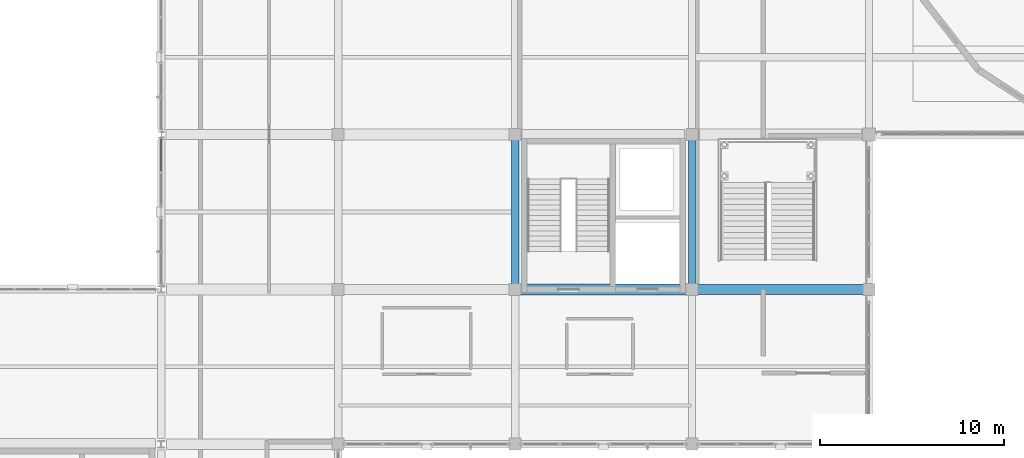
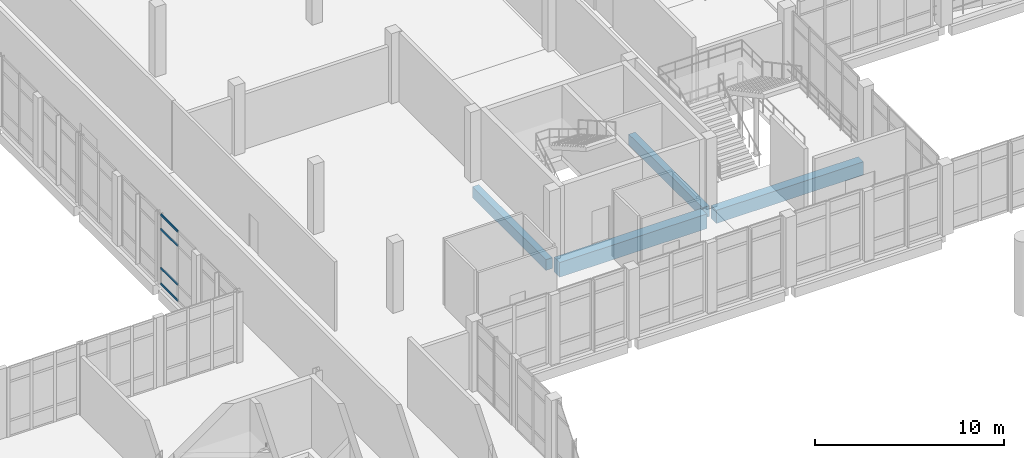
# One storey, part 28 of 102: 4 beams, 4 members, 1 element without a shape of its own.
"""IFC4 building model written with IfcOpenShell, lengths in metres."""

import ifcopenshell
import ifcopenshell.guid

model = None  # the IFC model being written
_history = None  # IfcOwnerHistory: only IFC2X3 demands one
_inside = {}  # id of a spatial element -> (the spatial element, [elements in it])
_under = {}  # id of a project, library or spatial element -> (it, [spatial elements below it])
_declared = {}  # id of a project -> (the project, [libraries it declares])
_typed = {}  # id of a type object -> (the type object, [elements of that type])
_made_of = {}  # id of a material, layer set ... -> (it, [elements and type objects made of it])


def new_model(schema):
    """Start an empty IFC model of exactly this schema.

    Asked for "IFC4X3", IfcOpenShell would pick the latest addendum, in which some entities
    have other attributes; the version numbers below select the first issue.
    IFC2X3 requires an IfcOwnerHistory on every rooted entity: one is made here for all.
    """
    global model, _history
    if schema == "IFC4X3":
        model = ifcopenshell.file(schema_version=(4, 3, 0, 0))
    else:
        model = ifcopenshell.file(schema=schema)
    _inside.clear()
    _under.clear()
    _declared.clear()
    _typed.clear()
    _made_of.clear()
    _history = None
    if model.schema == "IFC2X3":
        org = make("IfcOrganization", Name="unknown")
        user = make(
            "IfcPersonAndOrganization",
            ThePerson=make("IfcPerson", FamilyName="unknown"),
            TheOrganization=org,
        )
        app = make(
            "IfcApplication",
            ApplicationDeveloper=org,
            Version="unknown",
            ApplicationFullName="unknown",
            ApplicationIdentifier="unknown",
        )
        _history = make(
            "IfcOwnerHistory",
            OwningUser=user,
            OwningApplication=app,
            ChangeAction="ADDED",
            CreationDate=0,
        )
    return model


def make(cls, **values):
    """One entity of the class cls with the attributes given. An attribute that is None is left unset."""
    return model.create_entity(
        cls, **{name: value for name, value in values.items() if value is not None}
    )


def rooted(cls, **values):
    """An entity with a GlobalId (a new one), such as an element, a storey or a relation."""
    return make(cls, GlobalId=ifcopenshell.guid.new(), OwnerHistory=_history, **values)


def si_unit(unit_type, name, prefix=None):
    """IfcSIUnit, for example si_unit("LENGTHUNIT", "METRE", prefix="MILLI")."""
    return make("IfcSIUnit", UnitType=unit_type, Prefix=prefix, Name=name)


def assignment(units):
    """IfcUnitAssignment: the units of a project."""
    return None if units is None else make("IfcUnitAssignment", Units=units)


def point(xyz):
    """IfcCartesianPoint."""
    return None if xyz is None else make("IfcCartesianPoint", Coordinates=xyz)


def direction(xyz):
    """IfcDirection."""
    return None if xyz is None else make("IfcDirection", DirectionRatios=xyz)


def frame(location, z_axis=None, x_axis=None):
    """IfcAxis2Placement3D, a coordinate frame: its origin and axes. An axis left out is left unset."""
    return make(
        "IfcAxis2Placement3D",
        Location=point(location),
        Axis=direction(z_axis),
        RefDirection=direction(x_axis),
    )


def frame_2d(location, x_axis=None):
    """IfcAxis2Placement2D, a coordinate frame in the plane: its origin and x axis."""
    return make(
        "IfcAxis2Placement2D", Location=point(location), RefDirection=direction(x_axis)
    )


def origin():
    """The frame at (0, 0, 0) with its axes left unset."""
    return frame((0.0, 0.0, 0.0))


def origin_2d():
    """The frame at (0, 0) in the plane with its x axis left unset."""
    return frame_2d((0.0, 0.0))


def place(relative_to, where):
    """IfcLocalPlacement: puts the frame where relative to a parent placement (None: the world)."""
    return make(
        "IfcLocalPlacement", PlacementRelTo=relative_to, RelativePlacement=where
    )


def context(
    kind, dimensions, precision=None, world=None, true_north=None, identifier=None
):
    """IfcGeometricRepresentationContext, for example the 3D "Model" context."""
    return make(
        "IfcGeometricRepresentationContext",
        ContextIdentifier=identifier,
        ContextType=kind,
        CoordinateSpaceDimension=dimensions,
        Precision=precision,
        WorldCoordinateSystem=world,
        TrueNorth=true_north,
    )


def subcontext(parent, identifier, kind, view, scale=None):
    """IfcGeometricRepresentationSubContext, for example "Body" below "Model"."""
    return make(
        "IfcGeometricRepresentationSubContext",
        ContextIdentifier=identifier,
        ContextType=kind,
        ParentContext=parent,
        TargetScale=scale,
        TargetView=view,
    )


def project(units=None, contexts=None):
    """IfcProject with its units and contexts."""
    return rooted(
        "IfcProject",
        Name="project",
        RepresentationContexts=contexts,
        UnitsInContext=assignment(units),
    )


def spatial(cls, under=None, at=None, **own):
    """A site, building, storey or space (cls), placed at a placement, below another one or the project."""
    s = rooted(cls, ObjectPlacement=at, **own)
    if under is not None:
        _under.setdefault(under.id(), (under, []))[1].append(s)
    return s


def profile(cls, at=None, kind="AREA", **sizes):
    """A parametric profile (cls). Its sizes go by their IFC names, for example OverallWidth=200.0."""
    return make(cls, ProfileType=kind, Position=at, **sizes)


def rectangle(**sizes):
    """IfcRectangleProfileDef."""
    return profile("IfcRectangleProfileDef", **sizes)


def hollow_rectangle(**sizes):
    """IfcRectangleHollowProfileDef."""
    return profile("IfcRectangleHollowProfileDef", **sizes)


def extrude(swept, where, along, depth):
    """IfcExtrudedAreaSolid: the profile swept, set in the frame where, extruded along a direction by depth."""
    return make(
        "IfcExtrudedAreaSolid",
        SweptArea=swept,
        Position=where,
        ExtrudedDirection=direction(along),
        Depth=depth,
    )


def shape(context_of_items, identifier, shape_type, items):
    """IfcShapeRepresentation: the items that make up one representation, for example the "Body"."""
    return make(
        "IfcShapeRepresentation",
        ContextOfItems=context_of_items,
        RepresentationIdentifier=identifier,
        RepresentationType=shape_type,
        Items=items,
    )


def material(Name=None, Category=None):
    """IfcMaterial."""
    return make("IfcMaterial", Name=Name, Category=Category)


def layer(
    of_material, thickness, ventilated=None, Name=None, Category=None, Priority=None
):
    """IfcMaterialLayer: one layer of a wall or slab, of a material (None: an air gap)."""
    return make(
        "IfcMaterialLayer",
        Material=of_material,
        LayerThickness=thickness,
        IsVentilated=ventilated,
        Name=Name,
        Category=Category,
        Priority=Priority,
    )


def layer_set(layers, Name=None):
    """IfcMaterialLayerSet."""
    return make("IfcMaterialLayerSet", MaterialLayers=layers, LayerSetName=Name)


def material_profile(
    of_material, cross_section, Name=None, Category=None, Priority=None
):
    """IfcMaterialProfile: a cross section and its material."""
    return make(
        "IfcMaterialProfile",
        Name=Name,
        Material=of_material,
        Profile=cross_section,
        Priority=Priority,
        Category=Category,
    )


def profile_set(profiles, Name=None, composite=None):
    """IfcMaterialProfileSet."""
    return make(
        "IfcMaterialProfileSet",
        Name=Name,
        MaterialProfiles=profiles,
        CompositeProfile=composite,
    )


def made_of(thing, what):
    """Note that an element or type object is made of a material, layer set ...; save() writes the relation."""
    if what is not None:
        _made_of.setdefault(what.id(), (what, []))[1].append(thing)
    return thing


def type_object(cls, material=None, **own):
    """A type object (cls), such as IfcWallType, which elements share."""
    return made_of(rooted(cls, **own), material)


def element(
    cls,
    number,
    at=None,
    inside=None,
    cuts=None,
    type_object=None,
    material=None,
    context=None,
    identifier="Body",
    shape_type=None,
    held_by="IfcProductDefinitionShape",
    body=None,
    shapes=None,
    **own,
):
    """One element of the class cls, such as IfcWall. Its Tag is "e" and its number.

    at: its placement. inside: the storey or other place that contains it. cuts: it is an
    opening in that element (IfcRelVoidsElement). A single representation is given by context,
    identifier, shape_type and body (its items); several are given by shapes. held_by: the class
    of the entity that holds the representations. save() writes the other relations.
    """
    e = rooted(cls, Tag="e%d" % number, ObjectPlacement=at, **own)
    if body is not None:
        shapes = [shape(context, identifier, shape_type, body)]
    if shapes is not None:
        e.Representation = make(held_by, Representations=shapes)
    if inside is not None:
        _inside.setdefault(inside.id(), (inside, []))[1].append(e)
    if cuts is not None:
        rooted(
            "IfcRelVoidsElement", RelatingBuildingElement=cuts, RelatedOpeningElement=e
        )
    if type_object is not None:
        _typed.setdefault(type_object.id(), (type_object, []))[1].append(e)
    return made_of(e, material)


def aggregate(whole, parts):
    """IfcRelAggregates: a whole, such as a stair, and the parts it consists of."""
    return rooted("IfcRelAggregates", RelatingObject=whole, RelatedObjects=parts)


def save(model, path):
    """Write the relations noted so far, then the file.

    IfcRelAggregates (storeys below a building ...), IfcRelContainedInSpatialStructure (elements
    in a storey), IfcRelDefinesByType, IfcRelAssociatesMaterial and IfcRelDeclares: one each for
    every whole, place, type object, material and project.
    """
    for whole, parts in _under.values():
        aggregate(whole, parts)
    for where, things in _inside.values():
        rooted(
            "IfcRelContainedInSpatialStructure",
            RelatedElements=things,
            RelatingStructure=where,
        )
    for kind, things in _typed.values():
        rooted("IfcRelDefinesByType", RelatedObjects=things, RelatingType=kind)
    for what, things in _made_of.values():
        rooted("IfcRelAssociatesMaterial", RelatedObjects=things, RelatingMaterial=what)
    for by, libraries in _declared.values():
        rooted("IfcRelDeclares", RelatingContext=by, RelatedDefinitions=libraries)
    model.write(path)


model = new_model("IFC4")

# Units and contexts
model_context = context("Model", 3, precision=1e-05, world=origin(), true_north=direction((0.0, 1.0)))
body_context = subcontext(model_context, "Body", "Model", "MODEL_VIEW")
ifc_project = project(units=[si_unit("LENGTHUNIT", "METRE"), si_unit("AREAUNIT", "SQUARE_METRE"), si_unit("VOLUMEUNIT", "CUBIC_METRE"), si_unit("PLANEANGLEUNIT", "RADIAN"), si_unit("MASSUNIT", "GRAM", prefix="KILO")], contexts=[model_context])

# Site, building, storey
site_placement = place(None, origin())
site = spatial("IfcSite", under=ifc_project, at=site_placement, CompositionType="ELEMENT")
building_placement = place(site_placement, origin())
building = spatial("IfcBuilding", under=site, at=building_placement, Name="Lornevale Opera House", CompositionType="ELEMENT")
storey_placement = place(building_placement, frame((0.0, 0.0, 5.39990234375)))
storey = spatial("IfcBuildingStorey", under=building, at=storey_placement, Name="L02", CompositionType="ELEMENT", Elevation=5.39990234375)

# Beams
ifc_material_1 = material(Name="Concrete 35 MPa (CSA A23.1 N)", Category="concrete")
ifc_material_profile_1 = material_profile(ifc_material_1, rectangle(XDim=0.39990234375, YDim=0.699951171875, at=origin_2d()), Name="RC400x700")
ifc_profile_set_1 = profile_set([ifc_material_profile_1], Name="Concrete 35 MPa (CSA A23.1 N)")
beam_type_1 = type_object("IfcBeamType", Name="Concrete Floor Beam 400x700", PredefinedType="USERDEFINED", material=ifc_profile_set_1)
beam_1_placement = place(storey_placement, frame((48.0, 25.5, -0.64990234375), z_axis=(0.0, 1.0, 0.0), x_axis=(-1.0, 0.0, 0.0)))
element("IfcBeam", 1, at=beam_1_placement, inside=storey, type_object=beam_type_1, Name="Concrete Floor Beam 400x700 1871", ObjectType="GIRDER", PredefinedType="USERDEFINED", context=body_context, shape_type="SweptSolid", body=[
    extrude(rectangle(XDim=0.39990234375, YDim=0.699951171875, at=origin_2d()), origin(), (0.0, 0.0, 1.0), 7.800048828125),
])
beam_2_placement = place(storey_placement, frame((57.60009765625, 25.5, -0.64990234375), z_axis=(0.0, 1.0, 0.0), x_axis=(-1.0, 0.0, 0.0)))
element("IfcBeam", 2, at=beam_2_placement, inside=storey, type_object=beam_type_1, Name="Concrete Floor Beam 400x700 1882", ObjectType="GIRDER", PredefinedType="USERDEFINED", context=body_context, shape_type="SweptSolid", body=[
    extrude(rectangle(XDim=0.39990234375, YDim=0.699951171875, at=origin_2d()), origin(), (0.0, 0.0, 1.0), 7.85009765625),
])
ifc_material_profile_2 = material_profile(ifc_material_1, rectangle(XDim=0.550048828125, YDim=0.85009765625, at=origin_2d()), Name="RC550x850")
ifc_profile_set_2 = profile_set([ifc_material_profile_2], Name="Concrete 35 MPa (CSA A23.1 N)")
beam_type_2 = type_object("IfcBeamType", Name="Concrete Primary Girder 550x850", PredefinedType="USERDEFINED", material=ifc_profile_set_2)
beam_3_placement = place(storey_placement, frame((57.89990234375, 25.199951171875, -0.724853515625), z_axis=(1.0, 0.0, 0.0), x_axis=(0.0, 1.0, 0.0)))
element("IfcBeam", 3, at=beam_3_placement, inside=storey, type_object=beam_type_2, Name="Concrete Primary Girder 550x850 1701", ObjectType="GIRDER", PredefinedType="USERDEFINED", context=body_context, shape_type="SweptSolid", body=[
    extrude(rectangle(XDim=0.550048828125, YDim=0.85009765625, at=origin_2d()), origin(), (0.0, 0.0, 1.0), 9.0),
])
ifc_material_profile_3 = material_profile(ifc_material_1, rectangle(XDim=0.60009765625, YDim=0.949951171875, at=origin_2d()), Name="RC600x950")
ifc_profile_set_3 = profile_set([ifc_material_profile_3], Name="Concrete 35 MPa (CSA A23.1 N)")
beam_type_3 = type_object("IfcBeamType", Name="Concrete Primary Girder 600x950", PredefinedType="USERDEFINED", material=ifc_profile_set_3)
beam_4_placement = place(storey_placement, frame((48.300048828125, 25.199951171875, -0.77490234375), z_axis=(1.0, 0.0, 0.0), x_axis=(0.0, 1.0, 0.0)))
element("IfcBeam", 4, at=beam_4_placement, inside=storey, type_object=beam_type_3, Name="Concrete Primary Girder 600x950 1700", ObjectType="GIRDER", PredefinedType="USERDEFINED", context=body_context, shape_type="SweptSolid", body=[
    extrude(rectangle(XDim=0.60009765625, YDim=0.949951171875, at=origin_2d()), origin(), (0.0, 0.0, 1.0), 9.0),
])

# Curtain wall, members
ifc_material_2 = material(Name="Anodized Oxide-Green Aluminium Framing", Category="aluminium")
ifc_layer = layer(ifc_material_2, 0.175048828125)
ifc_layer_set = layer_set([ifc_layer], Name="Anodized Oxide-Green Aluminium Framing")
curtain_wall_type = type_object("IfcCurtainWallType", Name="Chamber Cloister Curtain Wall M1700", PredefinedType="NOTDEFINED", material=ifc_layer_set)
curtain_wall_placement = place(storey_placement, origin())
curtain_wall = element("IfcCurtainWall", 5, at=curtain_wall_placement, inside=storey, type_object=curtain_wall_type, Name="Chamber Cloister Curtain Wall M1700 CW-052", PredefinedType="NOTDEFINED")
ifc_material_profile_4 = material_profile(ifc_material_2, hollow_rectangle(XDim=0.06494140625, YDim=0.135009765625, WallThickness=0.00390625, at=origin_2d()), Name="ALU65x135x4")
ifc_profile_set_4 = profile_set([ifc_material_profile_4], Name="Anodized Oxide-Green Aluminium Framing")
member_type = type_object("IfcMemberType", Name="Curtain Wall Transom 65x135", PredefinedType="USERDEFINED", material=ifc_profile_set_4)
member_1_placement = place(storey_placement, frame((28.800048828125, 31.59375, 0.03271484375), z_axis=(0.0, 1.0, 0.0), x_axis=(-1.0, 0.0, 0.0)))
member_1 = element("IfcMember", 6, at=member_1_placement, type_object=member_type, Name="Curtain Wall Transom 65x135 CW1070", ObjectType="TRANSOM", PredefinedType="USERDEFINED", context=body_context, shape_type="SweptSolid", body=[
    extrude(hollow_rectangle(XDim=0.06494140625, YDim=0.135009765625, WallThickness=0.00390625, at=origin_2d()), origin(), (0.0, 0.0, 1.0), 1.78369140625),
])
member_2_placement = place(storey_placement, frame((28.800048828125, 31.59375, 1.050048828125), z_axis=(0.0, 1.0, 0.0), x_axis=(-1.0, 0.0, 0.0)))
member_2 = element("IfcMember", 7, at=member_2_placement, type_object=member_type, Name="Curtain Wall Transom 65x135 CW1071", ObjectType="TRANSOM", PredefinedType="USERDEFINED", context=body_context, shape_type="SweptSolid", body=[
    extrude(hollow_rectangle(XDim=0.06494140625, YDim=0.135009765625, WallThickness=0.00390625, at=origin_2d()), origin(), (0.0, 0.0, 1.0), 1.78369140625),
])
member_3_placement = place(storey_placement, frame((28.800048828125, 31.59375, 3.570068359375), z_axis=(0.0, 1.0, 0.0), x_axis=(-1.0, 0.0, 0.0)))
member_3 = element("IfcMember", 8, at=member_3_placement, type_object=member_type, Name="Curtain Wall Transom 65x135 CW1072", ObjectType="TRANSOM", PredefinedType="USERDEFINED", context=body_context, shape_type="SweptSolid", body=[
    extrude(hollow_rectangle(XDim=0.06494140625, YDim=0.135009765625, WallThickness=0.00390625, at=origin_2d()), origin(), (0.0, 0.0, 1.0), 1.78369140625),
])
member_4_placement = place(storey_placement, frame((28.800048828125, 31.59375, 4.487548828125), z_axis=(0.0, 1.0, 0.0), x_axis=(-1.0, 0.0, 0.0)))
member_4 = element("IfcMember", 9, at=member_4_placement, type_object=member_type, Name="Curtain Wall Transom 65x135 CW1073", ObjectType="TRANSOM", PredefinedType="USERDEFINED", context=body_context, shape_type="SweptSolid", body=[
    extrude(hollow_rectangle(XDim=0.06494140625, YDim=0.135009765625, WallThickness=0.00390625, at=origin_2d()), origin(), (0.0, 0.0, 1.0), 1.78369140625),
])
aggregate(curtain_wall, [member_1, member_2, member_3, member_4])

save(model, "model.ifc")
